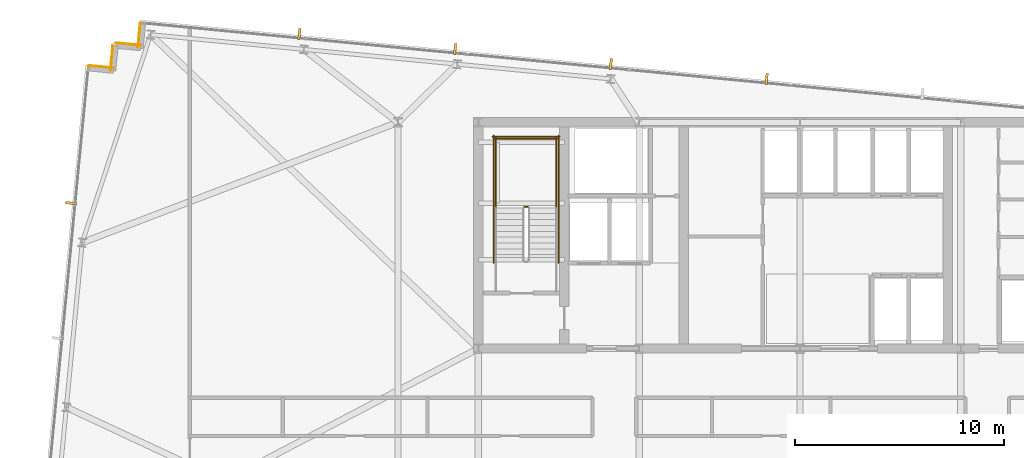
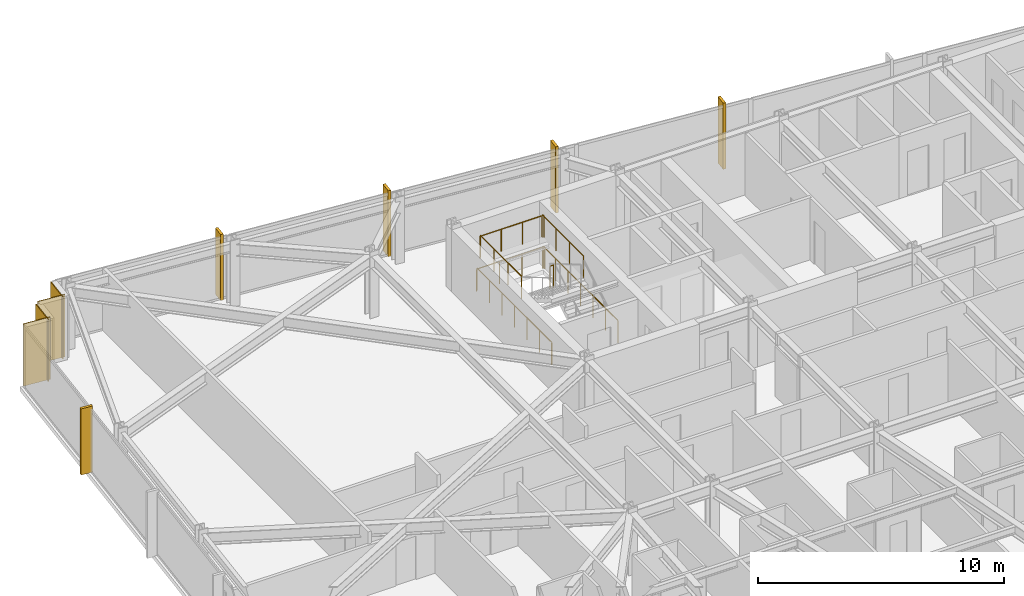
# One storey, part 37 of 38: 7 railings, 5 shading devices, 4 coverings.
"""IFC4 building model written with IfcOpenShell, lengths in metres."""

from ifc_helpers import new_model, si_unit, direction, frame, frame_2d, origin, origin_2d, place, context, subcontext, project, spatial, rectangle, circle, extrude, material, layer, layer_set, type_object, element, save


model = new_model("IFC4")

# Units and contexts
model_context = context("Model", 3, precision=1e-05, world=origin(), true_north=direction((0.0, 1.0)))
body_context = subcontext(model_context, "Body", "Model", "MODEL_VIEW")
ifc_project = project(units=[si_unit("LENGTHUNIT", "METRE"), si_unit("AREAUNIT", "SQUARE_METRE"), si_unit("VOLUMEUNIT", "CUBIC_METRE"), si_unit("PLANEANGLEUNIT", "RADIAN"), si_unit("MASSUNIT", "GRAM", prefix="KILO")], contexts=[model_context])

# Site, building, storey
site_placement = place(None, origin())
site = spatial("IfcSite", under=ifc_project, at=site_placement, CompositionType="ELEMENT")
building_placement = place(site_placement, origin())
building = spatial("IfcBuilding", under=site, at=building_placement, Name="Yelkora Congress Tower", CompositionType="ELEMENT")
storey_placement = place(building_placement, frame((0.0, 0.0, 178.699951171875)))
storey = spatial("IfcBuildingStorey", under=building, at=storey_placement, Name="L49", CompositionType="ELEMENT", Elevation=178.699951171875)

# Coverings
ifc_material_1 = material(Name="Anatolian bush-hammered limestone", Category="masonry")
ifc_layer_1 = layer(ifc_material_1, 0.0400390625)
ifc_layer_set_1 = layer_set([ifc_layer_1], Name="Anatolian bush-hammered limestone")
covering_type = type_object("IfcCoveringType", Name="COV-CLAD-SPANDREL-40", PredefinedType="CLADDING", material=ifc_layer_set_1)
for number, where, z_axis, x_axis, name in (
    (1, (4.423583984375, 48.9130859375, 0.0), (0.0, 0.0, 1.0), (0.995398960025, -0.095817067274, 0.0), "L49 Anatolian Limestone Cladding EW-L49-SR06"),
    (2, (5.470703125, 48.676513671875, 0.0), (0.0, 0.0, 1.0), (0.095817067274, 0.995398960025, 0.0), "L49 Anatolian Limestone Cladding EW-L49-SR07"),
):
    element("IfcCovering", number, at=place(storey_placement, frame(where, z_axis=z_axis, x_axis=x_axis)), inside=storey, type_object=covering_type, Name=name, PredefinedType="CLADDING", context=body_context, shape_type="SweptSolid", body=[
        extrude(rectangle(XDim=1.2001953125, YDim=0.0400390625, at=frame_2d((0.60009765625, 0.0))), origin(), (0.0, 0.0, 1.0), 3.080078125),
    ])
covering_1_placement = place(storey_placement, frame((5.733154296875, 49.992431640625, 0.0), z_axis=(0.0, 0.0, 1.0), x_axis=(0.995397091755, -0.095836473879, 0.0)))
element("IfcCovering", 3, at=covering_1_placement, inside=storey, type_object=covering_type, Name="L49 Anatolian Limestone Cladding EW-L49-SR08", PredefinedType="CLADDING", context=body_context, shape_type="SweptSolid", body=[
    extrude(rectangle(XDim=1.199951171875, YDim=0.0400390625, at=frame_2d((0.60009765625, 0.0))), origin(), (0.0, 0.0, 1.0), 3.080078125),
])
covering_2_placement = place(storey_placement, frame((6.780029296875, 49.756103515625, 0.0), z_axis=(0.0, 0.0, 1.0), x_axis=(0.096018626938, 0.995379537303, 0.0)))
element("IfcCovering", 4, at=covering_2_placement, inside=storey, type_object=covering_type, Name="L49 Anatolian Limestone Cladding EW-L49-SR09", PredefinedType="CLADDING", context=body_context, shape_type="SweptSolid", body=[
    extrude(rectangle(XDim=1.2001953125, YDim=0.0400390625, at=frame_2d((0.60009765625, 0.0))), origin(), (0.0, 0.0, 1.0), 3.080078125),
])

# Railings
ifc_material_2 = material(Name="Painted galvanised steel stair well guard with vertical infill", Category="steel")
ifc_layer_2 = layer(ifc_material_2, 0.06005859375)
ifc_layer_set_2 = layer_set([ifc_layer_2], Name="Painted galvanised steel stair well guard with vertical infill")
railing_type = type_object("IfcRailingType", Name="RAIL-STAIR-GUARD-1120", PredefinedType="GUARDRAIL", material=ifc_layer_set_2)
railing_1_placement = place(storey_placement, frame((25.39990234375, 42.169921875, 1.650146484375)))
element("IfcRailing", 5, at=railing_1_placement, inside=storey, type_object=railing_type, Name="ST-01 L49 Stair Well Guardrail 2", PredefinedType="GUARDRAIL", context=body_context, shape_type="SweptSolid", body=[
    extrude(circle(Radius=0.02392578125, at=origin_2d()), frame((0.0, 0.0, 1.09619140625), z_axis=(-1.0, 0.0, 0.0), x_axis=(0.0, -1.0, 0.0)), (0.0, 0.0, 1.0), 0.159912109375),
    extrude(circle(Radius=0.02099609375, at=origin_2d()), origin(), (0.0, 0.0, 1.0), 1.072021484375),
    extrude(circle(Radius=0.02099609375, at=origin_2d()), frame((-0.159912109375, 0.0, 0.0)), (0.0, 0.0, 1.0), 1.072021484375),
])
for number, where, name in (
    (6, (26.77001953125, 42.1201171875, 1.650146484375), "ST-01 L49 Stair Well Guardrail 3"),
    (7, (23.8701171875, 42.1201171875, 1.650146484375), "ST-01 L49 Stair Well Guardrail 4"),
):
    element("IfcRailing", number, at=place(storey_placement, frame(where)), inside=storey, type_object=railing_type, Name=name, PredefinedType="GUARDRAIL", context=body_context, shape_type="SweptSolid", body=[
        extrude(circle(Radius=0.02392578125, at=origin_2d()), frame((0.0, 0.0, 1.09619140625), z_axis=(0.0, 1.0, 0.0), x_axis=(-1.0, 0.0, 0.0)), (0.0, 0.0, 1.0), 3.349853515625),
        extrude(circle(Radius=0.02099609375, at=origin_2d()), origin(), (0.0, 0.0, 1.0), 1.072021484375),
        extrude(circle(Radius=0.02099609375, at=origin_2d()), frame((0.0, 1.11669921875, 0.0)), (0.0, 0.0, 1.0), 1.072021484375),
        extrude(circle(Radius=0.02099609375, at=origin_2d()), frame((0.0, 2.233154296875, 0.0)), (0.0, 0.0, 1.0), 1.072021484375),
        extrude(circle(Radius=0.02099609375, at=origin_2d()), frame((0.0, 3.349853515625, 0.0)), (0.0, 0.0, 1.0), 1.072021484375),
    ])
railing_2_placement = place(storey_placement, frame((26.820068359375, 45.419921875, 1.650146484375)))
element("IfcRailing", 8, at=railing_2_placement, inside=storey, type_object=railing_type, Name="ST-01 L49 Stair Well Guardrail 5", PredefinedType="GUARDRAIL", context=body_context, shape_type="SweptSolid", body=[
    extrude(circle(Radius=0.02392578125, at=origin_2d()), frame((0.0, 0.0, 1.09619140625), z_axis=(-1.0, 0.0, 0.0), x_axis=(0.0, -1.0, 0.0)), (0.0, 0.0, 1.0), 3.0),
    extrude(circle(Radius=0.02099609375, at=origin_2d()), origin(), (0.0, 0.0, 1.0), 1.072021484375),
    extrude(circle(Radius=0.02099609375, at=origin_2d()), frame((-1.0, 0.0, 0.0)), (0.0, 0.0, 1.0), 1.072021484375),
    extrude(circle(Radius=0.02099609375, at=origin_2d()), frame((-2.0, 0.0, 0.0)), (0.0, 0.0, 1.0), 1.072021484375),
    extrude(circle(Radius=0.02099609375, at=origin_2d()), frame((-3.0, 0.0, 0.0)), (0.0, 0.0, 1.0), 1.072021484375),
])
for number, where, name in (
    (9, (26.8701171875, 39.5, 0.0), "ST-01 L49 Stair Well Guardrail 10"),
    (10, (23.77001953125, 39.5, 0.0), "ST-01 L49 Stair Well Guardrail 11"),
):
    element("IfcRailing", number, at=place(storey_placement, frame(where)), inside=storey, type_object=railing_type, Name=name, PredefinedType="GUARDRAIL", context=body_context, shape_type="SweptSolid", body=[
        extrude(circle(Radius=0.02392578125, at=origin_2d()), frame((0.0, 0.0, 1.09619140625), z_axis=(0.0, 1.0, 0.0), x_axis=(-1.0, 0.0, 0.0)), (0.0, 0.0, 1.0), 6.070068359375),
        extrude(circle(Radius=0.02099609375, at=origin_2d()), origin(), (0.0, 0.0, 1.0), 1.072021484375),
        extrude(circle(Radius=0.02099609375, at=origin_2d()), frame((0.0, 1.01171875, 0.0)), (0.0, 0.0, 1.0), 1.072021484375),
        extrude(circle(Radius=0.02099609375, at=origin_2d()), frame((0.0, 2.0234375, 0.0)), (0.0, 0.0, 1.0), 1.072021484375),
        extrude(circle(Radius=0.02099609375, at=origin_2d()), frame((0.0, 3.03515625, 0.0)), (0.0, 0.0, 1.0), 1.072021484375),
        extrude(circle(Radius=0.02099609375, at=origin_2d()), frame((0.0, 4.046630859375, 0.0)), (0.0, 0.0, 1.0), 1.072021484375),
        extrude(circle(Radius=0.02099609375, at=origin_2d()), frame((0.0, 5.058349609375, 0.0)), (0.0, 0.0, 1.0), 1.072021484375),
        extrude(circle(Radius=0.02099609375, at=origin_2d()), frame((0.0, 6.070068359375, 0.0)), (0.0, 0.0, 1.0), 1.072021484375),
    ])
railing_3_placement = place(storey_placement, frame((26.919921875, 45.52001953125, 0.0)))
element("IfcRailing", 11, at=railing_3_placement, inside=storey, type_object=railing_type, Name="ST-01 L49 Stair Well Guardrail 12", PredefinedType="GUARDRAIL", context=body_context, shape_type="SweptSolid", body=[
    extrude(circle(Radius=0.02392578125, at=origin_2d()), frame((0.0, 0.0, 1.09619140625), z_axis=(-1.0, 0.0, 0.0), x_axis=(0.0, -1.0, 0.0)), (0.0, 0.0, 1.0), 3.199951171875),
    extrude(circle(Radius=0.02099609375, at=origin_2d()), origin(), (0.0, 0.0, 1.0), 1.072021484375),
    extrude(circle(Radius=0.02099609375, at=origin_2d()), frame((-1.066650390625, 0.0, 0.0)), (0.0, 0.0, 1.0), 1.072021484375),
    extrude(circle(Radius=0.02099609375, at=origin_2d()), frame((-2.13330078125, 0.0, 0.0)), (0.0, 0.0, 1.0), 1.072021484375),
    extrude(circle(Radius=0.02099609375, at=origin_2d()), frame((-3.199951171875, 0.0, 0.0)), (0.0, 0.0, 1.0), 1.072021484375),
])

# Shading devices
ifc_material_3 = material(Name="Champagne anodised aluminium", Category="aluminium")
ifc_layer_3 = layer(ifc_material_3, 3.300048828125)
ifc_layer_set_3 = layer_set([ifc_layer_3], Name="Champagne anodised aluminium")
shading_device_type = type_object("IfcShadingDeviceType", Name="SHD-FIN-ALU-520", PredefinedType="USERDEFINED", material=ifc_layer_set_3)
for number, where, z_axis, x_axis, name in (
    (12, (3.590087890625, 42.34375, -0.02978515625), (0.0, 0.0, 1.0), (0.09584575252, 0.995396198367, 0.0), "L49 Vertical Anodised Solar Fin 5-4"),
    (13, (14.48876953125, 50.42041015625, -0.02978515625), (0.0, 0.0, 1.0), (0.995396198367, -0.09584575252, 0.0), "L49 Vertical Anodised Solar Fin 10-1"),
    (14, (21.928466796875, 49.703857421875, -0.02978515625), (0.0, 0.0, 1.0), (0.995396198367, -0.09584575252, 0.0), "L49 Vertical Anodised Solar Fin 10-2"),
    (15, (29.368408203125, 48.987548828125, -0.02978515625), (0.0, 0.0, 1.0), (0.995396198367, -0.09584575252, 0.0), "L49 Vertical Anodised Solar Fin 10-3"),
    (16, (36.808349609375, 48.271240234375, -0.02978515625), (0.0, 0.0, 1.0), (0.995396198367, -0.09584575252, 0.0), "L49 Vertical Anodised Solar Fin 10-4"),
):
    element("IfcShadingDevice", number, at=place(storey_placement, frame(where, z_axis=z_axis, x_axis=x_axis)), inside=storey, type_object=shading_device_type, Name=name, ObjectType="FIN", PredefinedType="USERDEFINED", context=body_context, shape_type="SweptSolid", body=[
        extrude(rectangle(XDim=0.1201171875, YDim=0.52001953125, at=origin_2d()), origin(), (0.0, 0.0, 1.0), 3.280029296875),
    ])

save(model, "model.ifc")
